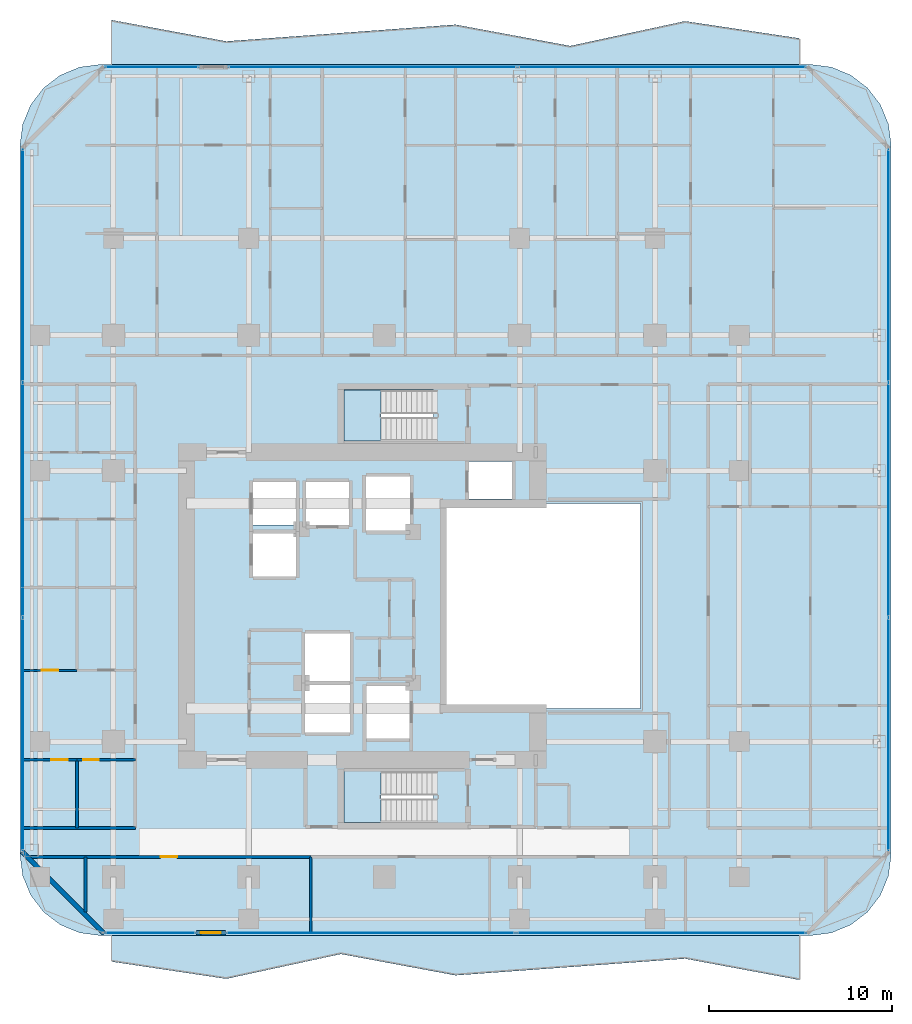
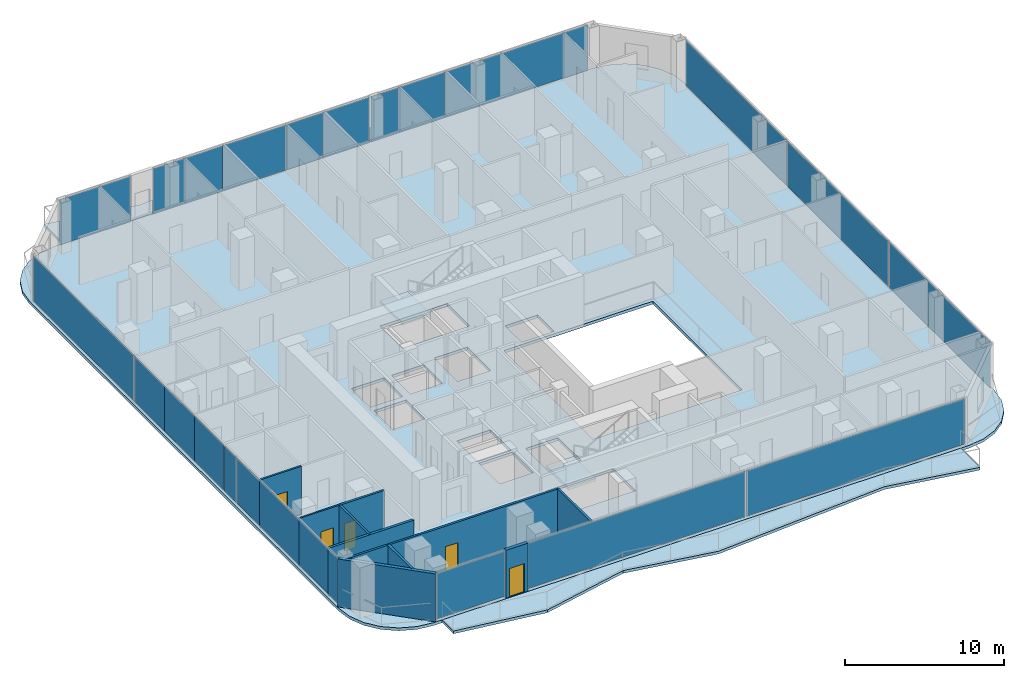
# One storey, part 18 of 26: 25 plates, 10 walls, 5 doors, 5 slabs, 5 openings, 8 elements without a shape of their own.
"""IFC4 building model written with IfcOpenShell, lengths in metres."""

from ifc_helpers import new_model, si_unit, direction, frame, frame_2d, origin, origin_2d, place, context, subcontext, project, spatial, polyline, rectangle, outline, extrude, material, layer, layer_set, type_object, element, fill, aggregate, save


model = new_model("IFC4")

# Units and contexts
model_context = context("Model", 3, precision=1e-05, world=origin(), true_north=direction((0.0, 1.0)))
body_context = subcontext(model_context, "Body", "Model", "MODEL_VIEW")
ifc_project = project(units=[si_unit("LENGTHUNIT", "METRE"), si_unit("AREAUNIT", "SQUARE_METRE"), si_unit("VOLUMEUNIT", "CUBIC_METRE"), si_unit("PLANEANGLEUNIT", "RADIAN"), si_unit("MASSUNIT", "GRAM", prefix="KILO")], contexts=[model_context])

# Site, building, storey
site_placement = place(None, origin())
site = spatial("IfcSite", under=ifc_project, at=site_placement, CompositionType="ELEMENT")
building_placement = place(site_placement, origin())
building = spatial("IfcBuilding", under=site, at=building_placement, Name="Khorvyn Point Tower", CompositionType="ELEMENT")
storey_placement = place(building_placement, frame((0.0, 0.0, 113.39990234375)))
storey = spatial("IfcBuildingStorey", under=building, at=storey_placement, Name="L28", CompositionType="ELEMENT", Elevation=113.39990234375)

# Slabs
ifc_material_1 = material(Name="Concrete C35/45", Category="concrete")
ifc_layer_1 = layer(ifc_material_1, 0.219970703125)
ifc_layer_set_1 = layer_set([ifc_layer_1], Name="Concrete C35/45 Structural Floor Slab 220")
slab_type_1 = type_object("IfcSlabType", Name="Concrete C35/45 Structural Floor Slab 220", PredefinedType="FLOOR", material=ifc_layer_set_1)
slab_1_placement = place(storey_placement, frame((0.0, 0.0, -0.219970703125)))
element("IfcSlab", 1, at=slab_1_placement, inside=storey, type_object=slab_type_1, Name="L28 Main Structural Floor Slab", PredefinedType="FLOOR", context=body_context, shape_type="SweptSolid", body=[
    extrude(outline(polyline([(-15.5, -18.0), (-16.638916015625, -17.85009765625), (-17.699951171875, -17.410400390625), (-18.611328125, -16.711181640625), (-19.310546875, -15.800048828125), (-19.75, -14.73876953125), (-19.89990234375, -13.60009765625), (-19.89990234375, 25.199951171875), (-19.75, 26.3388671875), (-19.310546875, 27.39990234375), (-18.611328125, 28.311279296875), (-17.699951171875, 29.010498046875), (-16.638916015625, 29.4501953125), (-15.5, 29.60009765625), (23.300048828125, 29.60009765625), (24.438720703125, 29.4501953125), (25.5, 29.010498046875), (26.411376953125, 28.311279296875), (27.110595703125, 27.39990234375), (27.550048828125, 26.3388671875), (27.699951171875, 25.199951171875), (27.699951171875, -13.60009765625), (27.550048828125, -14.73876953125), (27.110595703125, -15.800048828125), (26.411376953125, -16.711181640625), (25.5, -17.410400390625), (24.438720703125, -17.85009765625), (23.300048828125, -18.0), (-15.5, -18.0)]), holes=[polyline([(-1.875, -6.89990234375), (-1.875, -4.300048828125), (-4.324951171875, -4.300048828125), (-4.324951171875, -6.89990234375), (-1.875, -6.89990234375)]), polyline([(-1.875, -4.10009765625), (-1.875, -1.5), (-4.324951171875, -1.5), (-4.324951171875, -4.10009765625), (-1.875, -4.10009765625)]), polyline([(-4.824951171875, 1.625), (-4.824951171875, 3.97509765625), (-7.175048828125, 3.97509765625), (-7.175048828125, 1.625), (-4.824951171875, 1.625)]), polyline([(-7.175048828125, 4.425048828125), (-4.824951171875, 4.425048828125), (-4.824951171875, 6.77490234375), (-7.175048828125, 6.77490234375), (-7.175048828125, 4.425048828125)]), polyline([(-4.27490234375, 4.425048828125), (-1.925048828125, 4.425048828125), (-1.925048828125, 6.77490234375), (-4.27490234375, 6.77490234375), (-4.27490234375, 4.425048828125)]), polyline([(1.39990234375, 4.125), (1.39990234375, 7.074951171875), (-1.0, 7.074951171875), (-1.0, 4.125), (1.39990234375, 4.125)]), polyline([(-2.199951171875, -11.820068359375), (2.679931640625, -11.820068359375), (2.679931640625, -9.02001953125), (-2.199951171875, -9.02001953125), (-2.199951171875, -11.820068359375)]), polyline([(-0.97509765625, -7.22509765625), (1.375, -7.22509765625), (1.375, -4.375), (-0.97509765625, -4.375), (-0.97509765625, -7.22509765625)]), polyline([(14.0, -5.60009765625), (14.0, 5.60009765625), (3.199951171875, 5.60009765625), (3.199951171875, -5.60009765625), (14.0, -5.60009765625)]), polyline([(4.625, 5.85009765625), (6.97509765625, 5.85009765625), (6.97509765625, 7.905029296875), (4.625, 7.905029296875), (4.625, 5.85009765625)]), polyline([(-2.199951171875, 9.02001953125), (2.679931640625, 9.02001953125), (2.679931640625, 11.820068359375), (-2.199951171875, 11.820068359375), (-2.199951171875, 9.02001953125)])]), origin(), (0.0, 0.0, 1.0), 0.219970703125),
])
ifc_material_2 = material(Name="Concrete C40/50", Category="concrete")
ifc_layer_2 = layer(ifc_material_2, 0.2099609375)
ifc_layer_set_2 = layer_set([ifc_layer_2], Name="Concrete C40/50 Rippling Balcony Slab 210")
slab_type_2 = type_object("IfcSlabType", Name="Concrete C40/50 Rippling Balcony Slab 210", PredefinedType="USERDEFINED", material=ifc_layer_set_2)
slab_2_placement = place(storey_placement, frame((0.0, 0.0, -0.2099609375)))
element("IfcSlab", 2, at=slab_2_placement, inside=storey, type_object=slab_type_2, Name="L28 North Sinusoidal Rippling Balcony", ObjectType="BALCONY", PredefinedType="USERDEFINED", context=body_context, shape_type="SweptSolid", body=[
    extrude(outline(polyline([(22.699951171875, 29.60009765625), (22.699951171875, 31.022705078125), (16.433349609375, 31.96337890625), (10.166748046875, 30.6083984375), (3.89990234375, 31.773681640625), (-8.63330078125, 30.861083984375), (-14.89990234375, 32.026611328125), (-14.89990234375, 29.60009765625), (22.699951171875, 29.60009765625)])), origin(), (0.0, 0.0, 1.0), 0.2099609375),
])
slab_3_placement = place(storey_placement, frame((0.0, 0.0, -0.2099609375)))
element("IfcSlab", 3, at=slab_3_placement, inside=storey, type_object=slab_type_2, Name="L28 South Sinusoidal Rippling Balcony", ObjectType="BALCONY", PredefinedType="USERDEFINED", context=body_context, shape_type="SweptSolid", body=[
    extrude(outline(polyline([(-14.89990234375, -18.0), (-14.89990234375, -19.422607421875), (-8.63330078125, -20.363525390625), (-2.36669921875, -19.00830078125), (3.89990234375, -20.173828125), (16.433349609375, -19.26123046875), (22.699951171875, -20.4267578125), (22.699951171875, -18.0), (-14.89990234375, -18.0)])), origin(), (0.0, 0.0, 1.0), 0.2099609375),
])

# Stair, slab
stair_type = type_object("IfcStairType", Name="Tower Concrete C40/50 Dogleg Exit Stair", PredefinedType="HALF_TURN_STAIR", material=ifc_material_2)
stair_1_placement = place(storey_placement, origin())
stair_1 = element("IfcStair", 4, at=stair_1_placement, inside=storey, type_object=stair_type, Name="L28 Tower Smokeproof Exit Stair South", PredefinedType="HALF_TURN_STAIR")
ifc_layer_3 = layer(ifc_material_2, 0.199951171875)
ifc_layer_set_3 = layer_set([ifc_layer_3], Name="Concrete C40/50 Stair Landing Slab 200")
slab_type_3 = type_object("IfcSlabType", Name="Concrete C40/50 Stair Landing Slab 200", PredefinedType="LANDING", material=ifc_layer_set_3)
slab_4_placement = place(storey_placement, frame((0.0, 0.0, 1.75)))
slab_4 = element("IfcSlab", 5, at=slab_4_placement, type_object=slab_type_3, Name="ST-01 landing 1", PredefinedType="LANDING", context=body_context, shape_type="SweptSolid", body=[
    extrude(outline(polyline([(-0.179931640625, -9.02001953125), (-2.199951171875, -9.02001953125), (-2.199951171875, -11.820068359375), (-0.179931640625, -11.820068359375), (-0.179931640625, -9.02001953125)])), origin(), (0.0, 0.0, 1.0), 0.2001953125),
])
aggregate(stair_1, [slab_4])

stair_2_placement = place(storey_placement, origin())
stair_2 = element("IfcStair", 6, at=stair_2_placement, inside=storey, type_object=stair_type, Name="L28 Tower Smokeproof Exit Stair North", PredefinedType="HALF_TURN_STAIR")
slab_5_placement = place(storey_placement, frame((0.0, 0.0, 1.75)))
slab_5 = element("IfcSlab", 7, at=slab_5_placement, type_object=slab_type_3, Name="ST-02 landing 1", PredefinedType="LANDING", context=body_context, shape_type="SweptSolid", body=[
    extrude(outline(polyline([(-0.179931640625, 11.820068359375), (-2.199951171875, 11.820068359375), (-2.199951171875, 9.02001953125), (-0.179931640625, 9.02001953125), (-0.179931640625, 11.820068359375)])), origin(), (0.0, 0.0, 1.0), 0.2001953125),
])
aggregate(stair_2, [slab_5])

# Curtain wall, plates
ifc_material_3 = material(Name="Anodised aluminium 6063-T6 and laminated Low-E glass", Category="aluminium")
ifc_layer_4 = layer(ifc_material_3, 0.18994140625)
ifc_layer_set_4 = layer_set([ifc_layer_4], Name="Stick-Built Acoustic Curtain Wall CW-SYS-03")
curtain_wall_type = type_object("IfcCurtainWallType", Name="Stick-Built Acoustic Curtain Wall CW-SYS-03", PredefinedType="NOTDEFINED", material=ifc_layer_set_4)
curtain_wall_1_placement = place(storey_placement, origin())
curtain_wall_1 = element("IfcCurtainWall", 8, at=curtain_wall_1_placement, inside=storey, type_object=curtain_wall_type, Name="Curtain Wall", PredefinedType="NOTDEFINED")
ifc_material_4 = material(Name="Laminated Low-E insulated glass", Category="glass")
ifc_layer_5 = layer(ifc_material_4, 0.028076171875)
ifc_layer_set_5 = layer_set([ifc_layer_5], Name="Tempered Low-E Vision Glazing Panel CW-GL28")
plate_type = type_object("IfcPlateType", Name="Tempered Low-E Vision Glazing Panel CW-GL28", PredefinedType="CURTAIN_PANEL", material=ifc_layer_set_5)
plate_1_placement = place(storey_placement, frame((15.149658203125, -17.85009765625, 0.10009765625), z_axis=(0.0, 0.0, 1.0), x_axis=(-1.0, 0.0, 0.0)))
plate_1 = element("IfcPlate", 9, at=plate_1_placement, type_object=plate_type, Name="Panel", PredefinedType="CURTAIN_PANEL", context=body_context, shape_type="SweptSolid", body=[
    extrude(rectangle(XDim=15.800537109375, YDim=0.028076171875, at=origin_2d()), origin(), (0.0, 0.0, 1.0), 3.47998046875),
])
plate_2_placement = place(storey_placement, frame((-0.750732421875, -17.85009765625, 0.10009765625), z_axis=(0.0, 0.0, 1.0), x_axis=(-1.0, 0.0, 0.0)))
plate_2 = element("IfcPlate", 10, at=plate_2_placement, type_object=plate_type, Name="Panel", PredefinedType="CURTAIN_PANEL", context=body_context, shape_type="SweptSolid", body=[
    extrude(rectangle(XDim=15.800537109375, YDim=0.028076171875, at=origin_2d()), origin(), (0.0, 0.0, 1.0), 3.47998046875),
])
aggregate(curtain_wall_1, [plate_1, plate_2])

# Curtain wall, plate
curtain_wall_2_placement = place(storey_placement, origin())
curtain_wall_2 = element("IfcCurtainWall", 11, at=curtain_wall_2_placement, inside=storey, type_object=curtain_wall_type, Name="Curtain Wall", PredefinedType="NOTDEFINED")
plate_3_placement = place(storey_placement, frame((-12.7705078125, -17.85009765625, 0.10009765625), z_axis=(0.0, 0.0, 1.0), x_axis=(-1.0, 0.0, 0.0)))
plate_3 = element("IfcPlate", 12, at=plate_3_placement, type_object=plate_type, Name="Panel", PredefinedType="CURTAIN_PANEL", context=body_context, shape_type="SweptSolid", body=[
    extrude(rectangle(XDim=4.958984375, YDim=0.028076171875, at=origin_2d()), origin(), (0.0, 0.0, 1.0), 3.47998046875),
])
aggregate(curtain_wall_2, [plate_3])

curtain_wall_3_placement = place(storey_placement, origin())
curtain_wall_3 = element("IfcCurtainWall", 13, at=curtain_wall_3_placement, inside=storey, type_object=curtain_wall_type, Name="Curtain Wall", PredefinedType="NOTDEFINED")
plate_4_placement = place(storey_placement, frame((-12.694580078125, 29.449951171875, 0.10009765625), z_axis=(0.0, 0.0, 1.0), x_axis=(1.0, 0.0, 0.0)))
plate_4 = element("IfcPlate", 14, at=plate_4_placement, type_object=plate_type, Name="Panel", PredefinedType="CURTAIN_PANEL", context=body_context, shape_type="SweptSolid", body=[
    extrude(rectangle(XDim=5.111083984375, YDim=0.028076171875, at=origin_2d()), origin(), (0.0, 0.0, 1.0), 3.47998046875),
])
aggregate(curtain_wall_3, [plate_4])

# Curtain wall, plates
curtain_wall_4_placement = place(storey_placement, origin())
curtain_wall_4 = element("IfcCurtainWall", 15, at=curtain_wall_4_placement, inside=storey, type_object=curtain_wall_type, Name="Curtain Wall", PredefinedType="NOTDEFINED")
plate_5_placement = place(storey_placement, frame((-7.333984375, 29.449951171875, 0.10009765625), z_axis=(0.0, 0.0, 1.0), x_axis=(1.0, 0.0, 0.0)))
plate_5 = element("IfcPlate", 16, at=plate_5_placement, type_object=plate_type, Name="Panel", PredefinedType="CURTAIN_PANEL", context=body_context, shape_type="SweptSolid", body=[
    extrude(rectangle(XDim=2.322021484375, YDim=0.028076171875, at=origin_2d()), origin(), (0.0, 0.0, 1.0), 3.47998046875),
])
plate_6_placement = place(storey_placement, frame((-4.803955078125, 29.449951171875, 0.10009765625), z_axis=(0.0, 0.0, 1.0), x_axis=(1.0, 0.0, 0.0)))
plate_6 = element("IfcPlate", 17, at=plate_6_placement, type_object=plate_type, Name="Panel", PredefinedType="CURTAIN_PANEL", context=body_context, shape_type="SweptSolid", body=[
    extrude(rectangle(XDim=2.721923828125, YDim=0.028076171875, at=origin_2d()), origin(), (0.0, 0.0, 1.0), 3.47998046875),
])
plate_7_placement = place(storey_placement, frame((-1.114501953125, 29.449951171875, 0.10009765625), z_axis=(0.0, 0.0, 1.0), x_axis=(1.0, 0.0, 0.0)))
plate_7 = element("IfcPlate", 18, at=plate_7_placement, type_object=plate_type, Name="Panel", PredefinedType="CURTAIN_PANEL", context=body_context, shape_type="SweptSolid", body=[
    extrude(rectangle(XDim=4.64111328125, YDim=0.028076171875, at=origin_2d()), origin(), (0.0, 0.0, 1.0), 3.47998046875),
])
plate_8_placement = place(storey_placement, frame((2.52490234375, 29.449951171875, 0.10009765625), z_axis=(0.0, 0.0, 1.0), x_axis=(1.0, 0.0, 0.0)))
plate_8 = element("IfcPlate", 19, at=plate_8_placement, type_object=plate_type, Name="Panel", PredefinedType="CURTAIN_PANEL", context=body_context, shape_type="SweptSolid", body=[
    extrude(rectangle(XDim=2.6220703125, YDim=0.028076171875, at=origin_2d()), origin(), (0.0, 0.0, 1.0), 3.47998046875),
])
plate_9_placement = place(storey_placement, frame((5.53271484375, 29.449951171875, 0.10009765625), z_axis=(0.0, 0.0, 1.0), x_axis=(1.0, 0.0, 0.0)))
plate_9 = element("IfcPlate", 20, at=plate_9_placement, type_object=plate_type, Name="Panel", PredefinedType="CURTAIN_PANEL", context=body_context, shape_type="SweptSolid", body=[
    extrude(rectangle(XDim=3.37744140625, YDim=0.028076171875, at=origin_2d()), origin(), (0.0, 0.0, 1.0), 3.47998046875),
])
plate_10_placement = place(storey_placement, frame((8.3681640625, 29.449951171875, 0.10009765625), z_axis=(0.0, 0.0, 1.0), x_axis=(1.0, 0.0, 0.0)))
plate_10 = element("IfcPlate", 21, at=plate_10_placement, type_object=plate_type, Name="Panel", PredefinedType="CURTAIN_PANEL", context=body_context, shape_type="SweptSolid", body=[
    extrude(rectangle(XDim=2.077392578125, YDim=0.028076171875, at=origin_2d()), origin(), (0.0, 0.0, 1.0), 3.47998046875),
])
plate_11_placement = place(storey_placement, frame((11.04345703125, 29.449951171875, 0.10009765625), z_axis=(0.0, 0.0, 1.0), x_axis=(1.0, 0.0, 0.0)))
plate_11 = element("IfcPlate", 22, at=plate_11_placement, type_object=plate_type, Name="Panel", PredefinedType="CURTAIN_PANEL", context=body_context, shape_type="SweptSolid", body=[
    extrude(rectangle(XDim=3.257080078125, YDim=0.028076171875, at=origin_2d()), origin(), (0.0, 0.0, 1.0), 3.47998046875),
])
plate_12_placement = place(storey_placement, frame((17.0029296875, 29.449951171875, 0.10009765625), z_axis=(0.0, 0.0, 1.0), x_axis=(1.0, 0.0, 0.0)))
plate_12 = element("IfcPlate", 23, at=plate_12_placement, type_object=plate_type, Name="Panel", PredefinedType="CURTAIN_PANEL", context=body_context, shape_type="SweptSolid", body=[
    extrude(rectangle(XDim=8.64599609375, YDim=0.028076171875, at=origin_2d()), origin(), (0.0, 0.0, 1.0), 3.47998046875),
])
plate_13_placement = place(storey_placement, frame((22.18994140625, 29.449951171875, 0.10009765625), z_axis=(0.0, 0.0, 1.0), x_axis=(1.0, 0.0, 0.0)))
plate_13 = element("IfcPlate", 24, at=plate_13_placement, type_object=plate_type, Name="Panel", PredefinedType="CURTAIN_PANEL", context=body_context, shape_type="SweptSolid", body=[
    extrude(rectangle(XDim=1.7119140625, YDim=0.028076171875, at=origin_2d()), origin(), (0.0, 0.0, 1.0), 3.47998046875),
])
aggregate(curtain_wall_4, [plate_5, plate_6, plate_7, plate_8, plate_9, plate_10, plate_11, plate_12, plate_13])

curtain_wall_5_placement = place(storey_placement, origin())
curtain_wall_5 = element("IfcCurtainWall", 25, at=curtain_wall_5_placement, inside=storey, type_object=curtain_wall_type, Name="Curtain Wall", PredefinedType="NOTDEFINED")
plate_14_placement = place(storey_placement, frame((-19.75, -12.705078125, 0.10009765625), z_axis=(0.0, 0.0, 1.0), x_axis=(0.0, 1.0, 0.0)))
plate_14 = element("IfcPlate", 26, at=plate_14_placement, type_object=plate_type, Name="Panel", PredefinedType="CURTAIN_PANEL", context=body_context, shape_type="SweptSolid", body=[
    extrude(rectangle(XDim=1.281982421875, YDim=0.028076171875, at=origin_2d()), origin(), (0.0, 0.0, 1.0), 3.47998046875),
])
plate_15_placement = place(storey_placement, frame((-19.75, -10.257080078125, 0.10009765625), z_axis=(0.0, 0.0, 1.0), x_axis=(0.0, 1.0, 0.0)))
plate_15 = element("IfcPlate", 27, at=plate_15_placement, type_object=plate_type, Name="Panel", PredefinedType="CURTAIN_PANEL", context=body_context, shape_type="SweptSolid", body=[
    extrude(rectangle(XDim=3.597900390625, YDim=0.028076171875, at=origin_2d()), origin(), (0.0, 0.0, 1.0), 3.47998046875),
])
plate_16_placement = place(storey_placement, frame((-19.75, -5.950927734375, 0.10009765625), z_axis=(0.0, 0.0, 1.0), x_axis=(0.0, 1.0, 0.0)))
plate_16 = element("IfcPlate", 28, at=plate_16_placement, type_object=plate_type, Name="Panel", PredefinedType="CURTAIN_PANEL", context=body_context, shape_type="SweptSolid", body=[
    extrude(rectangle(XDim=4.998046875, YDim=0.028076171875, at=origin_2d()), origin(), (0.0, 0.0, 1.0), 3.47998046875),
])
plate_17_placement = place(storey_placement, frame((-19.75, -2.057373046875, 0.10009765625), z_axis=(0.0, 0.0, 1.0), x_axis=(0.0, 1.0, 0.0)))
plate_17 = element("IfcPlate", 29, at=plate_17_placement, type_object=plate_type, Name="Panel", PredefinedType="CURTAIN_PANEL", context=body_context, shape_type="SweptSolid", body=[
    extrude(rectangle(XDim=2.773193359375, YDim=0.028076171875, at=origin_2d()), origin(), (0.0, 0.0, 1.0), 3.47998046875),
])
plate_18_placement = place(storey_placement, frame((-19.75, 0.19580078125, 0.10009765625), z_axis=(0.0, 0.0, 1.0), x_axis=(0.0, 1.0, 0.0)))
plate_18 = element("IfcPlate", 30, at=plate_18_placement, type_object=plate_type, Name="Panel", PredefinedType="CURTAIN_PANEL", context=body_context, shape_type="SweptSolid", body=[
    extrude(rectangle(XDim=1.5166015625, YDim=0.028076171875, at=origin_2d()), origin(), (0.0, 0.0, 1.0), 3.47998046875),
])
plate_19_placement = place(storey_placement, frame((-19.75, 2.881103515625, 0.10009765625), z_axis=(0.0, 0.0, 1.0), x_axis=(0.0, 1.0, 0.0)))
plate_19 = element("IfcPlate", 31, at=plate_19_placement, type_object=plate_type, Name="Panel", PredefinedType="CURTAIN_PANEL", context=body_context, shape_type="SweptSolid", body=[
    extrude(rectangle(XDim=3.597900390625, YDim=0.028076171875, at=origin_2d()), origin(), (0.0, 0.0, 1.0), 3.47998046875),
])
plate_20_placement = place(storey_placement, frame((-19.75, 6.569091796875, 0.10009765625), z_axis=(0.0, 0.0, 1.0), x_axis=(0.0, 1.0, 0.0)))
plate_20 = element("IfcPlate", 32, at=plate_20_placement, type_object=plate_type, Name="Panel", PredefinedType="CURTAIN_PANEL", context=body_context, shape_type="SweptSolid", body=[
    extrude(rectangle(XDim=3.761962890625, YDim=0.028076171875, at=origin_2d()), origin(), (0.0, 0.0, 1.0), 3.47998046875),
])
plate_21_placement = place(storey_placement, frame((-19.75, 10.310302734375, 0.10009765625), z_axis=(0.0, 0.0, 1.0), x_axis=(0.0, 1.0, 0.0)))
plate_21 = element("IfcPlate", 33, at=plate_21_placement, type_object=plate_type, Name="Panel", PredefinedType="CURTAIN_PANEL", context=body_context, shape_type="SweptSolid", body=[
    extrude(rectangle(XDim=3.70458984375, YDim=0.028076171875, at=origin_2d()), origin(), (0.0, 0.0, 1.0), 3.47998046875),
])
plate_22_placement = place(storey_placement, frame((-19.75, 18.6083984375, 0.10009765625), z_axis=(0.0, 0.0, 1.0), x_axis=(0.0, 1.0, 0.0)))
plate_22 = element("IfcPlate", 34, at=plate_22_placement, type_object=plate_type, Name="Panel", PredefinedType="CURTAIN_PANEL", context=body_context, shape_type="SweptSolid", body=[
    extrude(rectangle(XDim=12.683349609375, YDim=0.028076171875, at=origin_2d()), origin(), (0.0, 0.0, 1.0), 3.47998046875),
])
aggregate(curtain_wall_5, [plate_14, plate_15, plate_16, plate_17, plate_18, plate_19, plate_20, plate_21, plate_22])

curtain_wall_6_placement = place(storey_placement, origin())
curtain_wall_6 = element("IfcCurtainWall", 35, at=curtain_wall_6_placement, inside=storey, type_object=curtain_wall_type, Name="Curtain Wall", PredefinedType="NOTDEFINED")
plate_23_placement = place(storey_placement, frame((27.550048828125, 18.6083984375, 0.10009765625), z_axis=(0.0, 0.0, 1.0), x_axis=(0.0, -1.0, 0.0)))
plate_23 = element("IfcPlate", 36, at=plate_23_placement, type_object=plate_type, Name="Panel", PredefinedType="CURTAIN_PANEL", context=body_context, shape_type="SweptSolid", body=[
    extrude(rectangle(XDim=12.683349609375, YDim=0.028076171875, at=origin_2d()), origin(), (0.0, 0.0, 1.0), 3.47998046875),
])
plate_24_placement = place(storey_placement, frame((27.550048828125, 5.800048828125, 0.10009765625), z_axis=(0.0, 0.0, 1.0), x_axis=(0.0, -1.0, 0.0)))
plate_24 = element("IfcPlate", 37, at=plate_24_placement, type_object=plate_type, Name="Panel", PredefinedType="CURTAIN_PANEL", context=body_context, shape_type="SweptSolid", body=[
    extrude(rectangle(XDim=12.7333984375, YDim=0.028076171875, at=origin_2d()), origin(), (0.0, 0.0, 1.0), 3.47998046875),
])
plate_25_placement = place(storey_placement, frame((27.550048828125, -7.00830078125, 0.10009765625), z_axis=(0.0, 0.0, 1.0), x_axis=(0.0, -1.0, 0.0)))
plate_25 = element("IfcPlate", 38, at=plate_25_placement, type_object=plate_type, Name="Panel", PredefinedType="CURTAIN_PANEL", context=body_context, shape_type="SweptSolid", body=[
    extrude(rectangle(XDim=12.683349609375, YDim=0.028076171875, at=origin_2d()), origin(), (0.0, 0.0, 1.0), 3.47998046875),
])
aggregate(curtain_wall_6, [plate_23, plate_24, plate_25])

# Walls
ifc_material_5 = material(Name="Double acoustic gypsum on twin steel stud", Category="steel")
ifc_layer_6 = layer(ifc_material_5, 0.179931640625)
ifc_layer_set_6 = layer_set([ifc_layer_6], Name="Acoustic Double-Stud Apartment Demising Wall 180")
wall_type_1 = type_object("IfcWallType", Name="Acoustic Double-Stud Apartment Demising Wall 180", PredefinedType="PARTITIONING", material=ifc_layer_set_6)
wall_1_placement = place(storey_placement, frame((-16.320068359375, -16.7099609375, 0.0), z_axis=(0.0, 0.0, 1.0), x_axis=(0.0, 1.0, 0.0)))
element("IfcWall", 39, at=wall_1_placement, inside=storey, type_object=wall_type_1, Name="Wall", PredefinedType="PARTITIONING", context=body_context, shape_type="SweptSolid", body=[
    extrude(rectangle(XDim=3.010009765625, YDim=0.179931640625, at=frame_2d((1.5048828125, 0.0))), origin(), (0.0, 0.0, 1.0), 3.68017578125),
])
wall_2_placement = place(storey_placement, frame((-19.72998046875, -12.1201171875, 0.0), z_axis=(0.0, 0.0, 1.0), x_axis=(1.0, 0.0, 0.0)))
element("IfcWall", 40, at=wall_2_placement, inside=storey, type_object=wall_type_1, Name="Wall", PredefinedType="PARTITIONING", context=body_context, shape_type="SweptSolid", body=[
    extrude(rectangle(XDim=6.1298828125, YDim=0.179931640625, at=frame_2d((3.06494140625, 0.0))), origin(), (0.0, 0.0, 1.0), 3.68017578125),
])

# Wall, opening, door
ifc_material_6 = material(Name="Pale anodised aluminium rainscreen on steel stud", Category="steel")
ifc_layer_7 = layer(ifc_material_6, 0.239990234375)
ifc_layer_set_7 = layer_set([ifc_layer_7], Name="Anodised Aluminium Insulated Corner Spandrel Wall 240")
wall_type_2 = type_object("IfcWallType", Name="Anodised Aluminium Insulated Corner Spandrel Wall 240", PredefinedType="SOLIDWALL", material=ifc_layer_set_7)
wall_3_placement = place(storey_placement, frame((-8.680908203125, -17.85009765625, 0.0), z_axis=(0.0, 0.0, 1.0), x_axis=(-1.0, 0.0, 0.0)))
wall_3 = element("IfcWall", 41, at=wall_3_placement, inside=storey, type_object=wall_type_2, Name="L28 South Outdoor Threshold Wall", PredefinedType="SOLIDWALL", context=body_context, shape_type="SweptSolid", body=[
    extrude(rectangle(XDim=1.580078125, YDim=0.239990234375, at=frame_2d((0.7900390625, 0.0))), origin(), (0.0, 0.0, 1.0), 3.68017578125),
])
opening_1_placement = place(wall_3_placement, frame((0.239990234375, 0.0, 0.0)))
opening_1 = element("IfcOpeningElement", 42, at=opening_1_placement, cuts=wall_3, Name="Opening BD-1122", PredefinedType="OPENING", context=body_context, shape_type="SweptSolid", body=[
    extrude(rectangle(XDim=1.10009765625, YDim=2.199951171875, at=frame_2d((0.550048828125, 1.10009765625))), frame((0.0, 0.1298828125, 0.0), z_axis=(0.0, -1.0, 0.0), x_axis=(1.0, 0.0, 0.0)), (0.0, 0.0, 1.0), 0.260009765625),
])
door_type_1 = type_object("IfcDoorType", Name="Glazed Balcony and Terrace Threshold Door 1100x2200", OperationType="NOTDEFINED", PredefinedType="DOOR", material=ifc_material_3)
door_1_placement = place(opening_1_placement, origin())
door_1 = element("IfcDoor", 43, at=door_1_placement, inside=storey, type_object=door_type_1, Name="L28 South Glazed Balcony Outdoor Door", OperationType="SINGLE_SWING_RIGHT", OverallHeight=2.199951171875, OverallWidth=1.10009765625, PredefinedType="DOOR", context=body_context, shape_type="SweptSolid", body=[
    extrude(rectangle(XDim=1.10009765625, YDim=2.199951171875, at=frame_2d((0.550048828125, 1.10009765625))), frame((0.0, 0.02490234375, 0.0), z_axis=(0.0, -1.0, 0.0), x_axis=(1.0, 0.0, 0.0)), (0.0, 0.0, 1.0), 0.050048828125),
])
fill(opening_1, door_1)

# Wall
wall_4_placement = place(storey_placement, frame((-15.3076171875, -17.892333984375, 0.0), z_axis=(0.0, 0.0, 1.0), x_axis=(-0.707126027686, 0.707087534163, 0.0)))
element("IfcWall", 44, at=wall_4_placement, inside=storey, type_object=wall_type_2, Name="L28 Rounded Corner Wall SW", PredefinedType="SOLIDWALL", context=body_context, shape_type="SweptSolid", body=[
    extrude(rectangle(XDim=6.34228515625, YDim=0.239990234375, at=frame_2d((3.171142578125, 0.0))), origin(), (0.0, 0.0, 1.0), 3.68017578125),
])

# Wall, opening, door
ifc_material_7 = material(Name="Gypsum plasterboard on steel stud", Category="steel")
ifc_layer_8 = layer(ifc_material_7, 0.1201171875)
ifc_layer_set_8 = layer_set([ifc_layer_8], Name="Gypsum Acoustic Stud Room Partition Wall 120")
wall_type_3 = type_object("IfcWallType", Name="Gypsum Acoustic Stud Room Partition Wall 120", PredefinedType="PARTITIONING", material=ifc_layer_set_8)
wall_5_placement = place(storey_placement, frame((-19.72998046875, -8.39404296875, 0.0), z_axis=(0.0, 0.0, 1.0), x_axis=(1.0, 0.0, 0.0)))
wall_5 = element("IfcWall", 45, at=wall_5_placement, inside=storey, type_object=wall_type_3, Name="Wall", PredefinedType="PARTITIONING", context=body_context, shape_type="SweptSolid", body=[
    extrude(rectangle(XDim=2.946044921875, YDim=0.1201171875, at=frame_2d((1.47314453125, 0.0))), origin(), (0.0, 0.0, 1.0), 3.68017578125),
])
opening_2_placement = place(wall_5_placement, frame((1.540771484375, 0.0, 0.0)))
opening_2 = element("IfcOpeningElement", 46, at=opening_2_placement, cuts=wall_5, Name="Opening ID-RM90", PredefinedType="OPENING", context=body_context, shape_type="SweptSolid", body=[
    extrude(rectangle(XDim=0.89990234375, YDim=2.10009765625, at=frame_2d((0.449951171875, 1.050048828125))), frame((0.0, 0.070068359375, 0.0), z_axis=(0.0, -1.0, 0.0), x_axis=(1.0, 0.0, 0.0)), (0.0, 0.0, 1.0), 0.14013671875),
])
ifc_material_8 = material(Name="Engineered oak veneer timber", Category="wood")
door_type_2 = type_object("IfcDoorType", Name="Flush Engineered Timber Room Door 900x2100", OperationType="NOTDEFINED", PredefinedType="DOOR", material=ifc_material_8)
door_2_placement = place(opening_2_placement, origin())
door_2 = element("IfcDoor", 47, at=door_2_placement, inside=storey, type_object=door_type_2, Name="Door", OperationType="SINGLE_SWING_LEFT", OverallHeight=2.10009765625, OverallWidth=0.89990234375, PredefinedType="DOOR", context=body_context, shape_type="SweptSolid", body=[
    extrude(rectangle(XDim=0.89990234375, YDim=2.10009765625, at=frame_2d((0.449951171875, 1.050048828125))), frame((0.0, 0.02490234375, 0.0), z_axis=(0.0, -1.0, 0.0), x_axis=(1.0, 0.0, 0.0)), (0.0, 0.0, 1.0), 0.050048828125),
])
fill(opening_2, door_2)

wall_6_placement = place(storey_placement, frame((-19.72998046875, -3.508056640625, 0.0), z_axis=(0.0, 0.0, 1.0), x_axis=(1.0, 0.0, 0.0)))
wall_6 = element("IfcWall", 48, at=wall_6_placement, inside=storey, type_object=wall_type_3, Name="Wall", PredefinedType="PARTITIONING", context=body_context, shape_type="SweptSolid", body=[
    extrude(rectangle(XDim=2.946044921875, YDim=0.1201171875, at=frame_2d((1.47314453125, 0.0))), origin(), (0.0, 0.0, 1.0), 3.68017578125),
])
opening_3_placement = place(wall_6_placement, frame((1.02294921875, 0.0, 0.0)))
opening_3 = element("IfcOpeningElement", 49, at=opening_3_placement, cuts=wall_6, Name="Opening ID-RM90", PredefinedType="OPENING", context=body_context, shape_type="SweptSolid", body=[
    extrude(rectangle(XDim=0.89990234375, YDim=2.10009765625, at=frame_2d((0.449951171875, 1.050048828125))), frame((0.0, 0.070068359375, 0.0), z_axis=(0.0, -1.0, 0.0), x_axis=(1.0, 0.0, 0.0)), (0.0, 0.0, 1.0), 0.14013671875),
])
door_3_placement = place(opening_3_placement, origin())
door_3 = element("IfcDoor", 50, at=door_3_placement, inside=storey, type_object=door_type_2, Name="Door", OperationType="SINGLE_SWING_RIGHT", OverallHeight=2.10009765625, OverallWidth=0.89990234375, PredefinedType="DOOR", context=body_context, shape_type="SweptSolid", body=[
    extrude(rectangle(XDim=0.89990234375, YDim=2.10009765625, at=frame_2d((0.449951171875, 1.050048828125))), frame((0.0, 0.02490234375, 0.0), z_axis=(0.0, -1.0, 0.0), x_axis=(1.0, 0.0, 0.0)), (0.0, 0.0, 1.0), 0.050048828125),
])
fill(opening_3, door_3)

ifc_material_9 = material(Name="Moisture-resistant gypsum and cement board", Category="gypsum")
ifc_layer_9 = layer(ifc_material_9, 0.14990234375)
ifc_layer_set_9 = layer_set([ifc_layer_9], Name="Moisture-Resistant Wet-Room Partition Wall 150")
wall_type_4 = type_object("IfcWallType", Name="Moisture-Resistant Wet-Room Partition Wall 150", PredefinedType="PARTITIONING", material=ifc_layer_set_9)
wall_7_placement = place(storey_placement, frame((-19.330078125, -13.699951171875, 0.0), z_axis=(0.0, 0.0, 1.0), x_axis=(1.0, 0.0, 0.0)))
wall_7 = element("IfcWall", 51, at=wall_7_placement, inside=storey, type_object=wall_type_4, Name="Wall", PredefinedType="PARTITIONING", context=body_context, shape_type="SweptSolid", body=[
    extrude(rectangle(XDim=15.318115234375, YDim=0.14990234375, at=frame_2d((7.6591796875, 0.0))), origin(), (0.0, 0.0, 1.0), 3.68017578125),
])
opening_4_placement = place(wall_7_placement, frame((7.119873046875, 0.0, 0.0)))
opening_4 = element("IfcOpeningElement", 52, at=opening_4_placement, cuts=wall_7, Name="Opening ID-RM90", PredefinedType="OPENING", context=body_context, shape_type="SweptSolid", body=[
    extrude(rectangle(XDim=0.89990234375, YDim=2.10009765625, at=frame_2d((0.449951171875, 1.050048828125))), frame((0.0, 0.0849609375, 0.0), z_axis=(0.0, -1.0, 0.0), x_axis=(1.0, 0.0, 0.0)), (0.0, 0.0, 1.0), 0.169921875),
])
door_4_placement = place(opening_4_placement, origin())
door_4 = element("IfcDoor", 53, at=door_4_placement, inside=storey, type_object=door_type_2, Name="Door", OperationType="SINGLE_SWING_RIGHT", OverallHeight=2.10009765625, OverallWidth=0.89990234375, PredefinedType="DOOR", context=body_context, shape_type="SweptSolid", body=[
    extrude(rectangle(XDim=0.89990234375, YDim=2.10009765625, at=frame_2d((0.449951171875, 1.050048828125))), frame((0.0, 0.02490234375, 0.0), z_axis=(0.0, -1.0, 0.0), x_axis=(1.0, 0.0, 0.0)), (0.0, 0.0, 1.0), 0.050048828125),
])
fill(opening_4, door_4)

wall_8_placement = place(storey_placement, frame((-16.783935546875, -8.39404296875, 0.0), z_axis=(0.0, 0.0, 1.0), x_axis=(1.0, 0.0, 0.0)))
wall_8 = element("IfcWall", 54, at=wall_8_placement, inside=storey, type_object=wall_type_4, Name="Wall", PredefinedType="PARTITIONING", context=body_context, shape_type="SweptSolid", body=[
    extrude(rectangle(XDim=3.183837890625, YDim=0.14990234375, at=frame_2d((1.591796875, 0.0))), origin(), (0.0, 0.0, 1.0), 3.68017578125),
])
opening_5_placement = place(wall_8_placement, frame((0.327880859375, 0.0, 0.0)))
opening_5 = element("IfcOpeningElement", 55, at=opening_5_placement, cuts=wall_8, Name="Opening ID-WC85", PredefinedType="OPENING", context=body_context, shape_type="SweptSolid", body=[
    extrude(rectangle(XDim=0.85009765625, YDim=2.10009765625, at=frame_2d((0.425048828125, 1.050048828125))), frame((0.0, 0.0849609375, 0.0), z_axis=(0.0, -1.0, 0.0), x_axis=(1.0, 0.0, 0.0)), (0.0, 0.0, 1.0), 0.169921875),
])
ifc_material_10 = material(Name="High-pressure laminate on moisture-resistant core", Category="wood")
door_type_3 = type_object("IfcDoorType", Name="Moisture-Resistant Accessible Washroom Door 850x2100", OperationType="NOTDEFINED", PredefinedType="DOOR", material=ifc_material_10)
door_5_placement = place(opening_5_placement, origin())
door_5 = element("IfcDoor", 56, at=door_5_placement, inside=storey, type_object=door_type_3, Name="Door", OperationType="SINGLE_SWING_RIGHT", OverallHeight=2.10009765625, OverallWidth=0.85009765625, PredefinedType="DOOR", context=body_context, shape_type="SweptSolid", body=[
    extrude(rectangle(XDim=0.85009765625, YDim=2.10009765625, at=frame_2d((0.425048828125, 1.050048828125))), frame((0.0, 0.02490234375, 0.0), z_axis=(0.0, -1.0, 0.0), x_axis=(1.0, 0.0, 0.0)), (0.0, 0.0, 1.0), 0.050048828125),
])
fill(opening_5, door_5)

# Walls
wall_9_placement = place(storey_placement, frame((-4.011962890625, -17.830078125, 0.0), z_axis=(0.0, 0.0, 1.0), x_axis=(0.0, 1.0, 0.0)))
element("IfcWall", 57, at=wall_9_placement, inside=storey, type_object=wall_type_4, Name="Wall", PredefinedType="PARTITIONING", context=body_context, shape_type="SweptSolid", body=[
    extrude(rectangle(XDim=4.130126953125, YDim=0.14990234375, at=frame_2d((2.06494140625, 0.0))), origin(), (0.0, 0.0, 1.0), 3.68017578125),
])
wall_10_placement = place(storey_placement, frame((-16.783935546875, -12.1201171875, 0.0), z_axis=(0.0, 0.0, 1.0), x_axis=(0.0, 1.0, 0.0)))
element("IfcWall", 58, at=wall_10_placement, inside=storey, type_object=wall_type_4, Name="Wall", PredefinedType="PARTITIONING", context=body_context, shape_type="SweptSolid", body=[
    extrude(rectangle(XDim=3.72607421875, YDim=0.14990234375, at=frame_2d((1.863037109375, 0.0))), origin(), (0.0, 0.0, 1.0), 3.68017578125),
])

save(model, "model.ifc")
